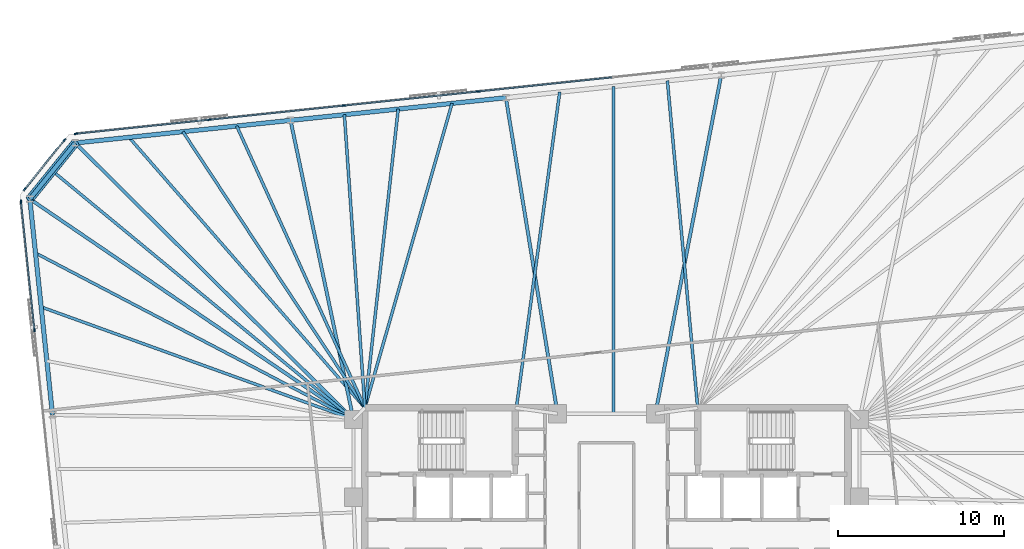
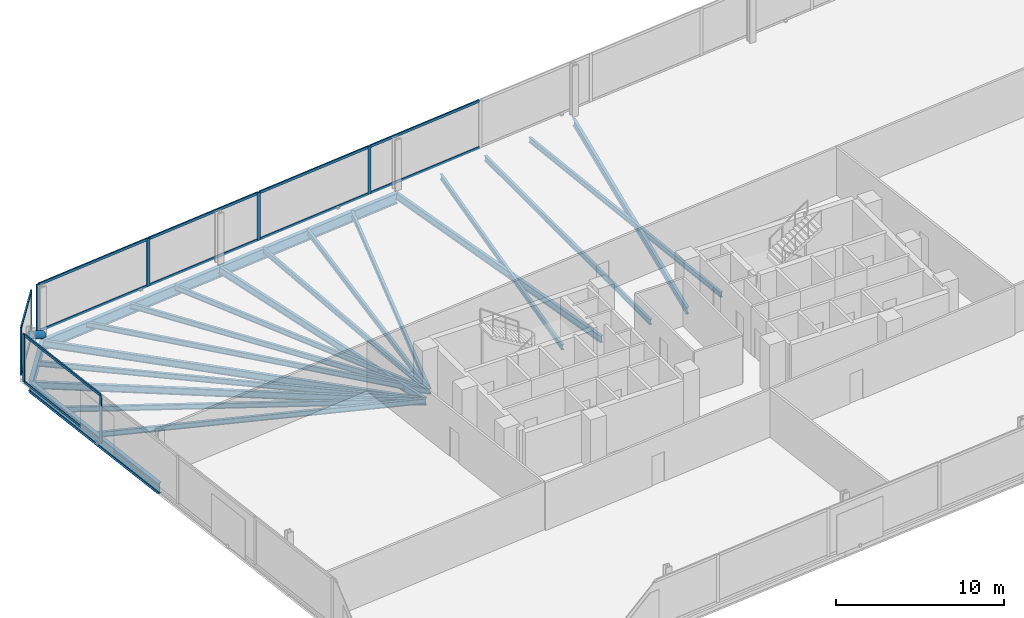
# One storey, part 9 of 17: 21 beams, 21 members, 3 elements without a shape of their own.
"""IFC4 building model written with IfcOpenShell, lengths in metres."""

from ifc_helpers import new_model, si_unit, direction, frame, origin, origin_2d, place, context, subcontext, project, spatial, rectangle, hollow_circle, i_section, extrude, material, material_profile, profile_set, type_object, element, aggregate, save


model = new_model("IFC4")

# Units and contexts
model_context = context("Model", 3, precision=1e-05, world=origin(), true_north=direction((0.0, 1.0)))
body_context = subcontext(model_context, "Body", "Model", "MODEL_VIEW")
ifc_project = project(units=[si_unit("LENGTHUNIT", "METRE"), si_unit("AREAUNIT", "SQUARE_METRE"), si_unit("VOLUMEUNIT", "CUBIC_METRE"), si_unit("PLANEANGLEUNIT", "RADIAN"), si_unit("MASSUNIT", "GRAM", prefix="KILO")], contexts=[model_context])

# Site, building, storey
site_placement = place(None, origin())
site = spatial("IfcSite", under=ifc_project, at=site_placement, CompositionType="ELEMENT")
building_placement = place(site_placement, origin())
building = spatial("IfcBuilding", under=site, at=building_placement, Name="Menara Jurai Vektor", CompositionType="ELEMENT")
storey_placement = place(building_placement, frame((0.0, 0.0, 131.800048828125)))
storey = spatial("IfcBuildingStorey", under=building, at=storey_placement, Name="L33", CompositionType="ELEMENT", Elevation=131.800048828125)

# Curtain wall, members
ifc_material_1 = material(Name="Anodised Pale Aluminium & Low-E Double Glazing", Category="aluminium")
curtain_wall_type = type_object("IfcCurtainWallType", Name="CW-BLK2", PredefinedType="NOTDEFINED", material=ifc_material_1)
curtain_wall_1_placement = place(storey_placement, origin())
curtain_wall_1 = element("IfcCurtainWall", 1, at=curtain_wall_1_placement, inside=storey, type_object=curtain_wall_type, Name="Unitised Curtain Wall L33 F05", PredefinedType="NOTDEFINED")
ifc_material_2 = material(Name="Anodised Pale Aluminium Mullion", Category="aluminium")
ifc_material_profile_1 = material_profile(ifc_material_2, rectangle(XDim=0.090087890625, YDim=0.219970703125, at=origin_2d()), Name="ALU MUL 90x220")
ifc_profile_set_1 = profile_set([ifc_material_profile_1], Name="Anodised Pale Aluminium Mullion")
member_type_1 = type_object("IfcMemberType", Name="CW-BLK2-MUL", PredefinedType="MULLION", material=ifc_profile_set_1)
member_1_placement = place(storey_placement, frame((-7.728271484375, 24.67138671875, 0.0), z_axis=(0.0, 0.0, 1.0), x_axis=(0.104528634935, -0.994521877325, 0.0)))
member_1 = element("IfcMember", 2, at=member_1_placement, type_object=member_type_1, Name="CW-02 mullion 6", PredefinedType="MULLION", context=body_context, shape_type="SweptSolid", body=[
    extrude(rectangle(XDim=0.090087890625, YDim=0.219970703125, at=origin_2d()), origin(), (0.0, 0.0, 1.0), 3.474853515625),
])
member_2_placement = place(storey_placement, frame((-15.826171875, 23.8203125, 0.0), z_axis=(0.0, 0.0, 1.0), x_axis=(0.104528634935, -0.994521877325, 0.0)))
member_2 = element("IfcMember", 3, at=member_2_placement, type_object=member_type_1, Name="CW-02 mullion 7", PredefinedType="MULLION", context=body_context, shape_type="SweptSolid", body=[
    extrude(rectangle(XDim=0.090087890625, YDim=0.219970703125, at=origin_2d()), origin(), (0.0, 0.0, 1.0), 3.474853515625),
])
member_3_placement = place(storey_placement, frame((-23.924072265625, 22.96923828125, 0.0), z_axis=(0.0, 0.0, 1.0), x_axis=(0.104528634935, -0.994521877325, 0.0)))
member_3 = element("IfcMember", 4, at=member_3_placement, type_object=member_type_1, Name="CW-02 mullion 8", PredefinedType="MULLION", context=body_context, shape_type="SweptSolid", body=[
    extrude(rectangle(XDim=0.090087890625, YDim=0.219970703125, at=origin_2d()), origin(), (0.0, 0.0, 1.0), 3.474853515625),
])
member_4_placement = place(storey_placement, frame((-31.97705078125, 22.122802734375, 0.0), z_axis=(0.0, 0.0, 1.0), x_axis=(0.104528634935, -0.994521877325, 0.0)))
member_4 = element("IfcMember", 5, at=member_4_placement, type_object=member_type_1, Name="CW-02 mullion 9", PredefinedType="MULLION", context=body_context, shape_type="SweptSolid", body=[
    extrude(rectangle(XDim=0.090087890625, YDim=0.219970703125, at=origin_2d()), origin(), (0.0, 0.0, 1.0), 3.474853515625),
])

curtain_wall_2_placement = place(storey_placement, origin())
curtain_wall_2 = element("IfcCurtainWall", 6, at=curtain_wall_2_placement, inside=storey, type_object=curtain_wall_type, Name="Unitised Curtain Wall L33 F06", PredefinedType="NOTDEFINED")
member_5_placement = place(storey_placement, frame((-32.667236328125, 21.748046875, 0.0), z_axis=(0.0, 0.0, 1.0), x_axis=(0.777129222223, -0.62934106172, 0.0)))
member_5 = element("IfcMember", 7, at=member_5_placement, type_object=member_type_1, Name="CW-02 mullion 1", PredefinedType="MULLION", context=body_context, shape_type="SweptSolid", body=[
    extrude(rectangle(XDim=0.090087890625, YDim=0.219970703125, at=origin_2d()), origin(), (0.0, 0.0, 1.0), 3.474853515625),
])
member_6_placement = place(storey_placement, frame((-35.0693359375, 18.781982421875, 0.0), z_axis=(0.0, 0.0, 1.0), x_axis=(0.777129222223, -0.62934106172, 0.0)))
member_6 = element("IfcMember", 8, at=member_6_placement, type_object=member_type_1, Name="CW-02 mullion 2", PredefinedType="MULLION", context=body_context, shape_type="SweptSolid", body=[
    extrude(rectangle(XDim=0.090087890625, YDim=0.219970703125, at=origin_2d()), origin(), (0.0, 0.0, 1.0), 3.474853515625),
])

curtain_wall_3_placement = place(storey_placement, origin())
curtain_wall_3 = element("IfcCurtainWall", 9, at=curtain_wall_3_placement, inside=storey, type_object=curtain_wall_type, Name="Unitised Curtain Wall L33 F07", PredefinedType="NOTDEFINED")
member_7_placement = place(storey_placement, frame((-35.29248046875, 18.029052734375, 0.0), z_axis=(0.0, 0.0, 1.0), x_axis=(0.99452177832, 0.104529576902, 0.0)))
member_7 = element("IfcMember", 10, at=member_7_placement, type_object=member_type_1, Name="CW-02 mullion 1", PredefinedType="MULLION", context=body_context, shape_type="SweptSolid", body=[
    extrude(rectangle(XDim=0.090087890625, YDim=0.219970703125, at=origin_2d()), origin(), (0.0, 0.0, 1.0), 3.474853515625),
])
member_8_placement = place(storey_placement, frame((-34.478759765625, 10.28857421875, 0.0), z_axis=(0.0, 0.0, 1.0), x_axis=(0.99452177832, 0.104529576902, 0.0)))
member_8 = element("IfcMember", 11, at=member_8_placement, type_object=member_type_1, Name="CW-02 mullion 2", PredefinedType="MULLION", context=body_context, shape_type="SweptSolid", body=[
    extrude(rectangle(XDim=0.090087890625, YDim=0.219970703125, at=origin_2d()), origin(), (0.0, 0.0, 1.0), 3.474853515625),
])

# Member
ifc_material_3 = material(Name="Anodised Pale Aluminium Transom", Category="aluminium")
ifc_material_profile_2 = material_profile(ifc_material_3, rectangle(XDim=0.090087890625, YDim=0.18505859375, at=origin_2d()), Name="ALU TRN 90x185")
ifc_profile_set_2 = profile_set([ifc_material_profile_2], Name="Anodised Pale Aluminium Transom")
member_type_2 = type_object("IfcMemberType", Name="CW-BLK2-TRN", PredefinedType="USERDEFINED", material=ifc_profile_set_2)
member_9_placement = place(storey_placement, frame((0.324951171875, 25.517822265625, 0.044921875), z_axis=(-0.99452387809, -0.104509597213, 0.0), x_axis=(0.104509597213, -0.99452387809, 0.0)))
member_9 = element("IfcMember", 12, at=member_9_placement, type_object=member_type_2, Name="CW-02 transom 5.1", ObjectType="TRANSOM", PredefinedType="USERDEFINED", context=body_context, shape_type="SweptSolid", body=[
    extrude(rectangle(XDim=0.090087890625, YDim=0.18505859375, at=origin_2d()), origin(), (0.0, 0.0, 1.0), 8.052490234375),
])

member_10_placement = place(storey_placement, frame((0.324951171875, 25.517822265625, 3.429931640625), z_axis=(-0.99452387809, -0.104509597213, 0.0), x_axis=(0.104509597213, -0.99452387809, 0.0)))
member_10 = element("IfcMember", 13, at=member_10_placement, type_object=member_type_2, Name="CW-02 transom 5.2", ObjectType="TRANSOM", PredefinedType="USERDEFINED", context=body_context, shape_type="SweptSolid", body=[
    extrude(rectangle(XDim=0.090087890625, YDim=0.18505859375, at=origin_2d()), origin(), (0.0, 0.0, 1.0), 8.052490234375),
])

member_11_placement = place(storey_placement, frame((-7.77294921875, 24.666748046875, 0.044921875), z_axis=(-0.994520726373, -0.10453958492, 0.0), x_axis=(0.10453958492, -0.994520726373, 0.0)))
member_11 = element("IfcMember", 14, at=member_11_placement, type_object=member_type_2, Name="CW-02 transom 6.1", ObjectType="TRANSOM", PredefinedType="USERDEFINED", context=body_context, shape_type="SweptSolid", body=[
    extrude(rectangle(XDim=0.090087890625, YDim=0.18505859375, at=origin_2d()), origin(), (0.0, 0.0, 1.0), 8.052490234375),
])

member_12_placement = place(storey_placement, frame((-7.77294921875, 24.666748046875, 3.429931640625), z_axis=(-0.994520726373, -0.10453958492, 0.0), x_axis=(0.10453958492, -0.994520726373, 0.0)))
member_12 = element("IfcMember", 15, at=member_12_placement, type_object=member_type_2, Name="CW-02 transom 6.2", ObjectType="TRANSOM", PredefinedType="USERDEFINED", context=body_context, shape_type="SweptSolid", body=[
    extrude(rectangle(XDim=0.090087890625, YDim=0.18505859375, at=origin_2d()), origin(), (0.0, 0.0, 1.0), 8.052490234375),
])

member_13_placement = place(storey_placement, frame((-15.870849609375, 23.815673828125, 0.044921875), z_axis=(-0.994520726373, -0.10453958492, 0.0), x_axis=(0.10453958492, -0.994520726373, 0.0)))
member_13 = element("IfcMember", 16, at=member_13_placement, type_object=member_type_2, Name="CW-02 transom 7.1", ObjectType="TRANSOM", PredefinedType="USERDEFINED", context=body_context, shape_type="SweptSolid", body=[
    extrude(rectangle(XDim=0.090087890625, YDim=0.18505859375, at=origin_2d()), origin(), (0.0, 0.0, 1.0), 8.052490234375),
])

member_14_placement = place(storey_placement, frame((-15.870849609375, 23.815673828125, 3.429931640625), z_axis=(-0.994520726373, -0.10453958492, 0.0), x_axis=(0.10453958492, -0.994520726373, 0.0)))
member_14 = element("IfcMember", 17, at=member_14_placement, type_object=member_type_2, Name="CW-02 transom 7.2", ObjectType="TRANSOM", PredefinedType="USERDEFINED", context=body_context, shape_type="SweptSolid", body=[
    extrude(rectangle(XDim=0.090087890625, YDim=0.18505859375, at=origin_2d()), origin(), (0.0, 0.0, 1.0), 8.052490234375),
])

member_15_placement = place(storey_placement, frame((-23.96875, 22.964599609375, 0.044921875), z_axis=(-0.994519977808, -0.104546706027, 0.0), x_axis=(0.104546706027, -0.994519977808, 0.0)))
member_15 = element("IfcMember", 18, at=member_15_placement, type_object=member_type_2, Name="CW-02 transom 8.1", ObjectType="TRANSOM", PredefinedType="USERDEFINED", context=body_context, shape_type="SweptSolid", body=[
    extrude(rectangle(XDim=0.090087890625, YDim=0.18505859375, at=origin_2d()), origin(), (0.0, 0.0, 1.0), 8.007568359375),
])

member_16_placement = place(storey_placement, frame((-23.96875, 22.964599609375, 3.429931640625), z_axis=(-0.994519977808, -0.104546706027, 0.0), x_axis=(0.104546706027, -0.994519977808, 0.0)))
member_16 = element("IfcMember", 19, at=member_16_placement, type_object=member_type_2, Name="CW-02 transom 8.2", ObjectType="TRANSOM", PredefinedType="USERDEFINED", context=body_context, shape_type="SweptSolid", body=[
    extrude(rectangle(XDim=0.090087890625, YDim=0.18505859375, at=origin_2d()), origin(), (0.0, 0.0, 1.0), 8.007568359375),
])

aggregate(curtain_wall_1, [member_1, member_2, member_3, member_4, member_9, member_10, member_11, member_12, member_13, member_14, member_15, member_16])

member_17_placement = place(storey_placement, frame((-32.695556640625, 21.713134765625, 0.044921875), z_axis=(-0.6293414396, -0.777128916205, 0.0), x_axis=(0.777128916205, -0.6293414396, 0.0)))
member_17 = element("IfcMember", 20, at=member_17_placement, type_object=member_type_2, Name="CW-02 transom 1.1", ObjectType="TRANSOM", PredefinedType="USERDEFINED", context=body_context, shape_type="SweptSolid", body=[
    extrude(rectangle(XDim=0.090087890625, YDim=0.18505859375, at=origin_2d()), origin(), (0.0, 0.0, 1.0), 3.726806640625),
])

member_18_placement = place(storey_placement, frame((-32.695556640625, 21.713134765625, 3.429931640625), z_axis=(-0.6293414396, -0.777128916205, 0.0), x_axis=(0.777128916205, -0.6293414396, 0.0)))
member_18 = element("IfcMember", 21, at=member_18_placement, type_object=member_type_2, Name="CW-02 transom 1.2", ObjectType="TRANSOM", PredefinedType="USERDEFINED", context=body_context, shape_type="SweptSolid", body=[
    extrude(rectangle(XDim=0.090087890625, YDim=0.18505859375, at=origin_2d()), origin(), (0.0, 0.0, 1.0), 3.726806640625),
])

aggregate(curtain_wall_2, [member_5, member_6, member_17, member_18])

member_19_placement = place(storey_placement, frame((-35.28759765625, 17.984130859375, 0.044921875), z_axis=(0.104504716935, -0.994524390922, 0.0), x_axis=(0.994524390922, 0.104504716935, 0.0)))
member_19 = element("IfcMember", 22, at=member_19_placement, type_object=member_type_2, Name="CW-02 transom 1.1", ObjectType="TRANSOM", PredefinedType="USERDEFINED", context=body_context, shape_type="SweptSolid", body=[
    extrude(rectangle(XDim=0.090087890625, YDim=0.18505859375, at=origin_2d()), origin(), (0.0, 0.0, 1.0), 7.693115234375),
])

member_20_placement = place(storey_placement, frame((-35.28759765625, 17.984130859375, 3.429931640625), z_axis=(0.104504716935, -0.994524390922, 0.0), x_axis=(0.994524390922, 0.104504716935, 0.0)))
member_20 = element("IfcMember", 23, at=member_20_placement, type_object=member_type_2, Name="CW-02 transom 1.2", ObjectType="TRANSOM", PredefinedType="USERDEFINED", context=body_context, shape_type="SweptSolid", body=[
    extrude(rectangle(XDim=0.090087890625, YDim=0.18505859375, at=origin_2d()), origin(), (0.0, 0.0, 1.0), 7.693115234375),
])

aggregate(curtain_wall_3, [member_7, member_8, member_19, member_20])

# Beams
ifc_material_4 = material(Name="Steel S355", Category="steel")
ifc_material_profile_3 = material_profile(ifc_material_4, i_section(OverallWidth=0.199951171875, OverallDepth=0.5, WebThickness=0.011962890625, FlangeThickness=0.02001953125, at=origin_2d()), Name="PG 500x200x96")
ifc_profile_set_3 = profile_set([ifc_material_profile_3], Name="Steel S355")
beam_type_1 = type_object("IfcBeamType", Name="STR-BM-500", PredefinedType="BEAM", material=ifc_profile_set_3)
beam_1_placement = place(storey_placement, frame((6.9169921875, 25.65771484375, -0.47509765625), z_axis=(-0.190817481746, -0.981625533826, 0.0), x_axis=(0.981625533826, -0.190817481746, 0.0)))
element("IfcBeam", 24, at=beam_1_placement, inside=storey, type_object=beam_type_1, Name="Radial Floor Girder L33-N3", PredefinedType="BEAM", context=body_context, shape_type="SweptSolid", body=[
    extrude(i_section(OverallWidth=0.199951171875, OverallDepth=0.5, WebThickness=0.011962890625, FlangeThickness=0.02001953125, at=origin_2d()), origin(), (0.0, 0.0, 1.0), 20.789794921875),
])
beam_2_placement = place(storey_placement, frame((-6.0625, 24.29345703125, -0.47509765625), z_axis=(0.161304178177, -0.986904738109, 0.0), x_axis=(0.986904738109, 0.161304178177, 0.0)))
element("IfcBeam", 25, at=beam_2_placement, inside=storey, type_object=beam_type_1, Name="Radial Floor Girder L33-N4", PredefinedType="BEAM", context=body_context, shape_type="SweptSolid", body=[
    extrude(i_section(OverallWidth=0.199951171875, OverallDepth=0.5, WebThickness=0.011962890625, FlangeThickness=0.02001953125, at=origin_2d()), origin(), (0.0, 0.0, 1.0), 19.296142578125),
])
beam_3_placement = place(storey_placement, frame((-19.042236328125, 22.92919921875, -0.47509765625), z_axis=(0.205833499861, -0.978587027471, 0.0), x_axis=(0.978587027471, 0.205833499861, 0.0)))
element("IfcBeam", 26, at=beam_3_placement, inside=storey, type_object=beam_type_1, Name="Radial Floor Girder L33-N5", PredefinedType="BEAM", context=body_context, shape_type="SweptSolid", body=[
    extrude(i_section(OverallWidth=0.199951171875, OverallDepth=0.5, WebThickness=0.011962890625, FlangeThickness=0.02001953125, at=origin_2d()), origin(), (0.0, 0.0, 1.0), 18.423828125),
])
beam_4_placement = place(storey_placement, frame((-32.02197265625, 21.565185546875, -0.47509765625), z_axis=(0.709359361276, -0.704847002242, 0.0), x_axis=(0.704847002242, 0.709359361276, 0.0)))
element("IfcBeam", 27, at=beam_4_placement, inside=storey, type_object=beam_type_1, Name="Radial Floor Girder L33-N6", PredefinedType="BEAM", context=body_context, shape_type="SweptSolid", body=[
    extrude(i_section(OverallWidth=0.199951171875, OverallDepth=0.5, WebThickness=0.011962890625, FlangeThickness=0.02001953125, at=origin_2d()), origin(), (0.0, 0.0, 1.0), 23.643798828125),
])
beam_5_placement = place(storey_placement, frame((-34.756103515625, 18.188720703125, -0.47509765625), z_axis=(0.826440214756, -0.563024485643, 0.0), x_axis=(0.563024485643, 0.826440214756, 0.0)))
element("IfcBeam", 28, at=beam_5_placement, inside=storey, type_object=beam_type_1, Name="Radial Floor Girder L33-W1", PredefinedType="BEAM", context=body_context, shape_type="SweptSolid", body=[
    extrude(i_section(OverallWidth=0.199951171875, OverallDepth=0.5, WebThickness=0.011962890625, FlangeThickness=0.02001953125, at=origin_2d()), origin(), (0.0, 0.0, 1.0), 23.6025390625),
])

# Member
ifc_material_5 = material(Name="Steel S460", Category="steel")
ifc_material_profile_4 = material_profile(ifc_material_5, hollow_circle(Radius=0.25390625, WallThickness=0.02001953125, at=origin_2d()), Name="CHS 508x20")
ifc_profile_set_4 = profile_set([ifc_material_profile_4], Name="Steel S460")
member_type_3 = type_object("IfcMemberType", Name="STR-BR-508", PredefinedType="BRACE", material=ifc_profile_set_4)
member_21_placement = place(storey_placement, frame((-32.02197265625, 21.565185546875, 0.14990234375), z_axis=(-0.519237856236, -0.641223283484, 0.564999778203), x_axis=(0.777154568396, -0.629309762217, 0.0)))
element("IfcMember", 29, at=member_21_placement, inside=storey, type_object=member_type_3, Name="Exoskeleton Corner Brace L33-3", PredefinedType="BRACE", context=body_context, shape_type="SweptSolid", body=[
    extrude(hollow_circle(Radius=0.25390625, WallThickness=0.02001953125, at=origin_2d()), origin(), (0.0, 0.0, 1.0), 5.265625),
])

# Beams
ifc_material_profile_5 = material_profile(ifc_material_4, i_section(OverallWidth=0.175048828125, OverallDepth=0.3798828125, WebThickness=0.010009765625, FlangeThickness=0.014892578125, at=origin_2d()), Name="PG 380x175x58")
ifc_profile_set_5 = profile_set([ifc_material_profile_5], Name="Steel S355")
beam_type_2 = type_object("IfcBeamType", Name="STR-JS-380", PredefinedType="JOIST", material=ifc_profile_set_5)
beam_6_placement = place(storey_placement, frame((3.672119140625, 25.316650390625, -0.4150390625), z_axis=(0.092312082085, -0.995730123829, 0.0), x_axis=(0.995730123829, 0.092312082085, 0.0)))
element("IfcBeam", 30, at=beam_6_placement, inside=storey, type_object=beam_type_2, Name="Radial Secondary Floor Joist L33-JS26", PredefinedType="JOIST", context=body_context, shape_type="SweptSolid", body=[
    extrude(i_section(OverallWidth=0.175048828125, OverallDepth=0.3798828125, WebThickness=0.010009765625, FlangeThickness=0.014892578125, at=origin_2d()), origin(), (0.0, 0.0, 1.0), 19.801025390625),
])
beam_7_placement = place(storey_placement, frame((0.42724609375, 24.9755859375, -0.4150390625), z_axis=(0.0, -1.0, 0.0), x_axis=(1.0, 0.0, 0.0)))
element("IfcBeam", 31, at=beam_7_placement, inside=storey, type_object=beam_type_2, Name="Radial Secondary Floor Joist L33-JS27", PredefinedType="JOIST", context=body_context, shape_type="SweptSolid", body=[
    extrude(i_section(OverallWidth=0.175048828125, OverallDepth=0.3798828125, WebThickness=0.010009765625, FlangeThickness=0.014892578125, at=origin_2d()), origin(), (0.0, 0.0, 1.0), 19.7255859375),
])
beam_8_placement = place(storey_placement, frame((-2.817626953125, 24.634521484375, -0.4150390625), z_axis=(-0.135987109192, -0.990710606652, 0.0), x_axis=(0.990710606652, -0.135987109192, 0.0)))
element("IfcBeam", 32, at=beam_8_placement, inside=storey, type_object=beam_type_2, Name="Radial Secondary Floor Joist L33-JS28", PredefinedType="JOIST", context=body_context, shape_type="SweptSolid", body=[
    extrude(i_section(OverallWidth=0.175048828125, OverallDepth=0.3798828125, WebThickness=0.010009765625, FlangeThickness=0.014892578125, at=origin_2d()), origin(), (0.0, 0.0, 1.0), 19.222412109375),
])
beam_9_placement = place(storey_placement, frame((-9.3076171875, 23.952392578125, -0.4150390625), z_axis=(-0.275153530359, -0.961400298903, 0.0), x_axis=(0.961400298903, -0.275153530359, 0.0)))
element("IfcBeam", 33, at=beam_9_placement, inside=storey, type_object=beam_type_2, Name="Radial Secondary Floor Joist L33-JS29", PredefinedType="JOIST", context=body_context, shape_type="SweptSolid", body=[
    extrude(i_section(OverallWidth=0.175048828125, OverallDepth=0.3798828125, WebThickness=0.010009765625, FlangeThickness=0.014892578125, at=origin_2d()), origin(), (0.0, 0.0, 1.0), 19.089111328125),
])
beam_10_placement = place(storey_placement, frame((-12.552490234375, 23.611328125, -0.4150390625), z_axis=(-0.110776028048, -0.993845396231, 0.0), x_axis=(0.993845396231, -0.110776028048, 0.0)))
element("IfcBeam", 34, at=beam_10_placement, inside=storey, type_object=beam_type_2, Name="Radial Secondary Floor Joist L33-JS30", PredefinedType="JOIST", context=body_context, shape_type="SweptSolid", body=[
    extrude(i_section(OverallWidth=0.175048828125, OverallDepth=0.3798828125, WebThickness=0.010009765625, FlangeThickness=0.014892578125, at=origin_2d()), origin(), (0.0, 0.0, 1.0), 18.122802734375),
])
beam_11_placement = place(storey_placement, frame((-15.79736328125, 23.2705078125, -0.4150390625), z_axis=(0.069850249402, -0.997557488398, 0.0), x_axis=(0.997557488398, 0.069850249402, 0.0)))
element("IfcBeam", 35, at=beam_11_placement, inside=storey, type_object=beam_type_2, Name="Radial Secondary Floor Joist L33-JS31", PredefinedType="JOIST", context=body_context, shape_type="SweptSolid", body=[
    extrude(i_section(OverallWidth=0.175048828125, OverallDepth=0.3798828125, WebThickness=0.010009765625, FlangeThickness=0.014892578125, at=origin_2d()), origin(), (0.0, 0.0, 1.0), 17.713623046875),
])
beam_12_placement = place(storey_placement, frame((-22.287109375, 22.58837890625, -0.4150390625), z_axis=(0.414029617818, -0.910263409992, 0.0), x_axis=(0.910263409992, 0.414029617818, 0.0)))
element("IfcBeam", 36, at=beam_12_placement, inside=storey, type_object=beam_type_2, Name="Radial Secondary Floor Joist L33-JS32", PredefinedType="JOIST", context=body_context, shape_type="SweptSolid", body=[
    extrude(i_section(OverallWidth=0.175048828125, OverallDepth=0.3798828125, WebThickness=0.010009765625, FlangeThickness=0.014892578125, at=origin_2d()), origin(), (0.0, 0.0, 1.0), 18.6630859375),
])
beam_13_placement = place(storey_placement, frame((-25.531982421875, 22.247314453125, -0.4150390625), z_axis=(0.550309675793, -0.834960634239, 0.0), x_axis=(0.834960634239, 0.550309675793, 0.0)))
element("IfcBeam", 37, at=beam_13_placement, inside=storey, type_object=beam_type_2, Name="Radial Secondary Floor Joist L33-JS33", PredefinedType="JOIST", context=body_context, shape_type="SweptSolid", body=[
    extrude(i_section(OverallWidth=0.175048828125, OverallDepth=0.3798828125, WebThickness=0.010009765625, FlangeThickness=0.014892578125, at=origin_2d()), origin(), (0.0, 0.0, 1.0), 19.937744140625),
])
beam_14_placement = place(storey_placement, frame((-28.777099609375, 21.90625, -0.4150390625), z_axis=(0.657172520545, -0.753740192798, 0.0), x_axis=(0.753740192798, 0.657172520545, 0.0)))
element("IfcBeam", 38, at=beam_14_placement, inside=storey, type_object=beam_type_2, Name="Radial Secondary Floor Joist L33-JS34", PredefinedType="JOIST", context=body_context, shape_type="SweptSolid", body=[
    extrude(i_section(OverallWidth=0.175048828125, OverallDepth=0.3798828125, WebThickness=0.010009765625, FlangeThickness=0.014892578125, at=origin_2d()), origin(), (0.0, 0.0, 1.0), 21.633544921875),
])
beam_15_placement = place(storey_placement, frame((-33.388916015625, 19.876953125, -0.4150390625), z_axis=(0.771113505069, -0.636697700876, 0.0), x_axis=(0.636697700876, 0.771113505069, 0.0)))
element("IfcBeam", 39, at=beam_15_placement, inside=storey, type_object=beam_type_2, Name="Radial Secondary Floor Joist L33-JS35", PredefinedType="JOIST", context=body_context, shape_type="SweptSolid", body=[
    extrude(i_section(OverallWidth=0.175048828125, OverallDepth=0.3798828125, WebThickness=0.010009765625, FlangeThickness=0.014892578125, at=origin_2d()), origin(), (0.0, 0.0, 1.0), 23.52294921875),
])
beam_16_placement = place(storey_placement, frame((-34.414306640625, 14.935302734375, -0.4150390625), z_axis=(0.885889402471, -0.463896504179, 0.0), x_axis=(0.463896504179, 0.885889402471, 0.0)))
element("IfcBeam", 40, at=beam_16_placement, inside=storey, type_object=beam_type_2, Name="Radial Secondary Floor Joist L33-JS36", PredefinedType="JOIST", context=body_context, shape_type="SweptSolid", body=[
    extrude(i_section(OverallWidth=0.175048828125, OverallDepth=0.3798828125, WebThickness=0.010009765625, FlangeThickness=0.014892578125, at=origin_2d()), origin(), (0.0, 0.0, 1.0), 21.6328125),
])
beam_17_placement = place(storey_placement, frame((-34.072265625, 11.681884765625, -0.4150390625), z_axis=(0.940792327273, -0.338983475917, 0.0), x_axis=(0.338983475917, 0.940792327273, 0.0)))
element("IfcBeam", 41, at=beam_17_placement, inside=storey, type_object=beam_type_2, Name="Radial Secondary Floor Joist L33-JS37", PredefinedType="JOIST", context=body_context, shape_type="SweptSolid", body=[
    extrude(i_section(OverallWidth=0.175048828125, OverallDepth=0.3798828125, WebThickness=0.010009765625, FlangeThickness=0.014892578125, at=origin_2d()), origin(), (0.0, 0.0, 1.0), 20.0068359375),
])
ifc_material_profile_6 = material_profile(ifc_material_5, i_section(OverallWidth=0.26806640625, OverallDepth=0.77001953125, WebThickness=0.01611328125, FlangeThickness=0.02490234375, FilletRadius=0.01708984375, at=origin_2d()), Name="UKB 762x267x197")
ifc_profile_set_6 = profile_set([ifc_material_profile_6], Name="Steel S460")
beam_type_3 = type_object("IfcBeamType", Name="STR-SP-762", PredefinedType="SPANDREL", material=ifc_profile_set_6)
for number, where, z_axis, x_axis, name in (
    (42, (-6.0625, 24.29345703125, -0.610107421875), (-0.994521636083, -0.104530930169, 0.0), (0.104530930169, -0.994521636083, 0.0), "Exoskeleton Spandrel Beam L33-14"),
    (43, (-19.042236328125, 22.92919921875, -0.610107421875), (-0.994523580592, -0.104512428191, 0.0), (0.104512428191, -0.994523580592, 0.0), "Exoskeleton Spandrel Beam L33-15"),
):
    element("IfcBeam", number, at=place(storey_placement, frame(where, z_axis=z_axis, x_axis=x_axis)), inside=storey, type_object=beam_type_3, Name=name, PredefinedType="SPANDREL", context=body_context, shape_type="SweptSolid", body=[
        extrude(i_section(OverallWidth=0.26806640625, OverallDepth=0.77001953125, WebThickness=0.01611328125, FlangeThickness=0.02490234375, FilletRadius=0.01708984375, at=origin_2d()), origin(), (0.0, 0.0, 1.0), 13.05126953125),
    ])
beam_18_placement = place(storey_placement, frame((-32.02197265625, 21.565185546875, -0.610107421875), z_axis=(-0.629309762217, -0.777154568396, 0.0), x_axis=(0.777154568396, -0.629309762217, 0.0)))
element("IfcBeam", 44, at=beam_18_placement, inside=storey, type_object=beam_type_3, Name="Exoskeleton Spandrel Beam L33-16", PredefinedType="SPANDREL", context=body_context, shape_type="SweptSolid", body=[
    extrude(i_section(OverallWidth=0.26806640625, OverallDepth=0.77001953125, WebThickness=0.01611328125, FlangeThickness=0.02490234375, FilletRadius=0.01708984375, at=origin_2d()), origin(), (0.0, 0.0, 1.0), 4.3447265625),
])
beam_19_placement = place(storey_placement, frame((-34.756103515625, 18.188720703125, -0.610107421875), z_axis=(0.104538130097, -0.994520879296, 0.0), x_axis=(0.994520879296, 0.104538130097, 0.0)))
element("IfcBeam", 45, at=beam_19_placement, inside=storey, type_object=beam_type_3, Name="Exoskeleton Spandrel Beam L33-17", PredefinedType="SPANDREL", context=body_context, shape_type="SweptSolid", body=[
    extrude(i_section(OverallWidth=0.26806640625, OverallDepth=0.77001953125, WebThickness=0.01611328125, FlangeThickness=0.02490234375, FilletRadius=0.01708984375, at=origin_2d()), origin(), (0.0, 0.0, 1.0), 13.08544921875),
])

save(model, "model.ifc")
